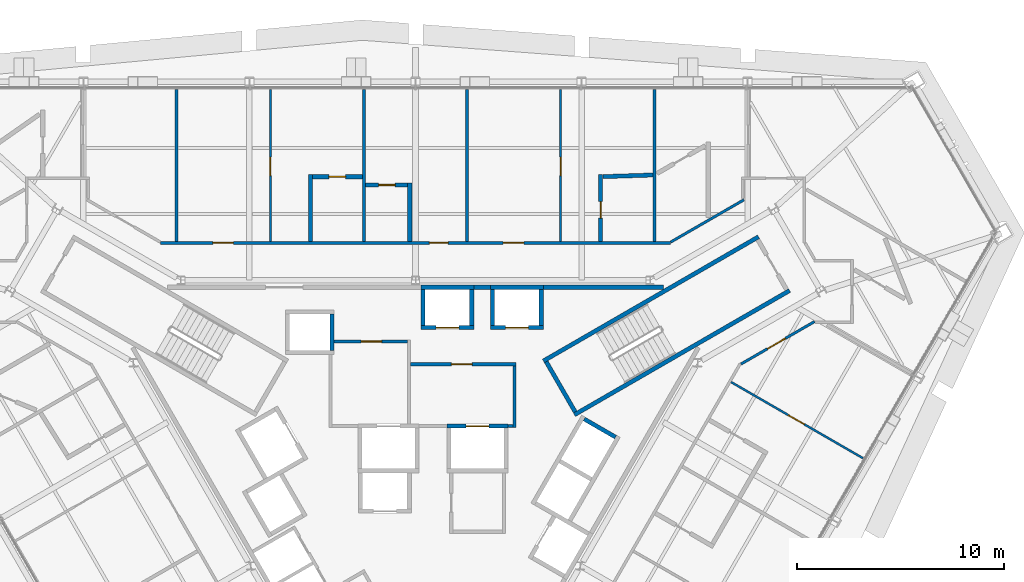
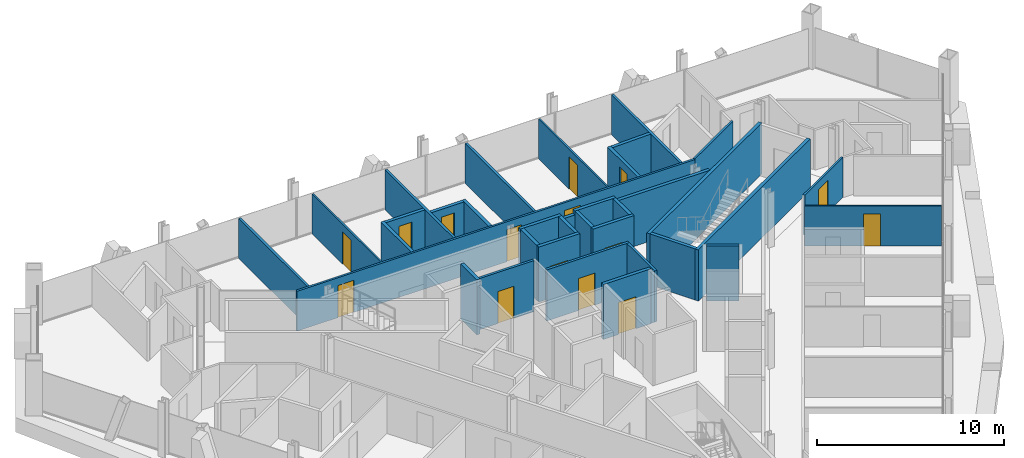
# One storey, part 13 of 16: 36 walls, 15 doors, 15 openings.
"""IFC4 building model written with IfcOpenShell, lengths in metres."""

from ifc_helpers import new_model, si_unit, direction, frame, frame_2d, origin, place, context, subcontext, project, spatial, rectangle, extrude, material, layer, layer_set, type_object, element, fill, save


model = new_model("IFC4")

# Units and contexts
model_context = context("Model", 3, precision=1e-05, world=origin(), true_north=direction((0.0, 1.0)))
body_context = subcontext(model_context, "Body", "Model", "MODEL_VIEW")
ifc_project = project(units=[si_unit("LENGTHUNIT", "METRE"), si_unit("AREAUNIT", "SQUARE_METRE"), si_unit("VOLUMEUNIT", "CUBIC_METRE"), si_unit("PLANEANGLEUNIT", "RADIAN"), si_unit("MASSUNIT", "GRAM", prefix="KILO")], contexts=[model_context])

# Site, building, storey
site_placement = place(None, origin())
site = spatial("IfcSite", under=ifc_project, at=site_placement, CompositionType="ELEMENT")
building_placement = place(site_placement, origin())
building = spatial("IfcBuilding", under=site, at=building_placement, Name="Verrane Prism Tower", CompositionType="ELEMENT")
storey_placement = place(building_placement, frame((0.0, 0.0, 107.199951171875)))
storey = spatial("IfcBuildingStorey", under=building, at=storey_placement, Name="L25", CompositionType="ELEMENT", Elevation=107.199951171875)

# Walls
ifc_material_1 = material(Name="Gypsum board partition", Category="other")
ifc_layer_1 = layer(ifc_material_1, 0.199951171875)
ifc_layer_set_1 = layer_set([ifc_layer_1], Name="CW-200 core boundary wall 2 h")
wall_type_1 = type_object("IfcWallType", Name="CW-200 core boundary wall 2 h", PredefinedType="PARTITIONING", material=ifc_layer_set_1)
wall_1_placement = place(storey_placement, frame((2.81689453125, 8.860107421875, 0.0), z_axis=(0.0, 0.0, 1.0), x_axis=(1.0, 0.0, 0.0)))
element("IfcWall", 1, at=wall_1_placement, inside=storey, type_object=wall_type_1, Name="Core boundary wall CW3-004", PredefinedType="PARTITIONING", context=body_context, shape_type="SweptSolid", body=[
    extrude(rectangle(XDim=0.80615234375, YDim=0.199951171875, at=frame_2d((0.403076171875, 0.0))), origin(), (0.0, 0.0, 1.0), 3.35009765625),
])
wall_2_placement = place(storey_placement, frame((6.177001953125, 8.860107421875, 0.0), z_axis=(0.0, 0.0, 1.0), x_axis=(1.0, 0.0, 0.0)))
element("IfcWall", 2, at=wall_2_placement, inside=storey, type_object=wall_type_1, Name="Core boundary wall CW3-006", PredefinedType="PARTITIONING", context=body_context, shape_type="SweptSolid", body=[
    extrude(rectangle(XDim=5.81396484375, YDim=0.199951171875, at=frame_2d((2.906982421875, 0.0))), origin(), (0.0, 0.0, 1.0), 3.35009765625),
])
ifc_material_2 = material(Name="Concrete C40/50", Category="concrete")
ifc_layer_2 = layer(ifc_material_2, 0.199951171875)
ifc_layer_set_2 = layer_set([ifc_layer_2], Name="CW-200 stair core wall concrete C40/50 3 h")
wall_type_2 = type_object("IfcWallType", Name="CW-200 stair core wall concrete C40/50 3 h", PredefinedType="PARTITIONING", material=ifc_layer_set_2)
for number, where, z_axis, x_axis, name in (
    (3, (6.17822265625, 5.299072265625, 0.0), (0.0, 0.0, 1.0), (0.866026010844, 0.49999894854, 0.0), "Stair 1 enclosure wall"),
    (4, (7.67822265625, 2.700927734375, 0.0), (0.0, 0.0, 1.0), (0.866026010844, 0.49999894854, 0.0), "Stair 1 enclosure wall"),
):
    element("IfcWall", number, at=place(storey_placement, frame(where, z_axis=z_axis, x_axis=x_axis)), inside=storey, type_object=wall_type_2, Name=name, PredefinedType="PARTITIONING", context=body_context, shape_type="SweptSolid", body=[
        extrude(rectangle(XDim=12.0, YDim=0.199951171875, at=frame_2d((6.0, 0.0))), origin(), (0.0, 0.0, 1.0), 3.35009765625),
    ])
wall_3_placement = place(storey_placement, frame((7.71484375, 2.837646484375, 0.0), z_axis=(0.0, 0.0, 1.0), x_axis=(-0.500049511043, 0.865996816683, 0.0)))
element("IfcWall", 5, at=wall_3_placement, inside=storey, type_object=wall_type_2, Name="Stair 1 enclosure wall", PredefinedType="PARTITIONING", context=body_context, shape_type="SweptSolid", body=[
    extrude(rectangle(XDim=2.800048828125, YDim=0.199951171875, at=frame_2d((1.39990234375, 0.0))), origin(), (0.0, 0.0, 1.0), 3.35009765625),
])

# Wall, opening, door
ifc_material_3 = material(Name="Gypsum board shaft wall assembly", Category="other")
ifc_layer_3 = layer(ifc_material_3, 0.199951171875)
ifc_layer_set_3 = layer_set([ifc_layer_3], Name="HW-200 lift shaft wall 2 h")
wall_type_3 = type_object("IfcWallType", Name="HW-200 lift shaft wall 2 h", PredefinedType="PARTITIONING", material=ifc_layer_set_3)
wall_4_placement = place(storey_placement, frame((1.52490234375, 2.14990234375, 0.0), z_axis=(0.0, 0.0, 1.0), x_axis=(1.0, 0.0, 0.0)))
wall_4 = element("IfcWall", 6, at=wall_4_placement, inside=storey, type_object=wall_type_3, Name="Lift shaft wall", PredefinedType="PARTITIONING", context=body_context, shape_type="SweptSolid", body=[
    extrude(rectangle(XDim=2.9501953125, YDim=0.199951171875, at=frame_2d((1.47509765625, 0.0))), origin(), (0.0, 0.0, 1.0), 3.60009765625),
])
opening_1_placement = place(wall_4_placement, frame((0.925048828125, 0.0, 0.0)))
opening_1 = element("IfcOpeningElement", 7, at=opening_1_placement, cuts=wall_4, Name="Opening D24509", PredefinedType="OPENING", context=body_context, shape_type="SweptSolid", body=[
    extrude(rectangle(XDim=1.10009765625, YDim=2.10009765625, at=frame_2d((0.550048828125, 1.050048828125))), frame((0.0, 0.10986328125, 0.0), z_axis=(0.0, -1.0, 0.0), x_axis=(1.0, 0.0, 0.0)), (0.0, 0.0, 1.0), 0.219970703125),
])
ifc_material_4 = material(Name="Stainless steel sliding landing door", Category="steel")
door_type_1 = type_object("IfcDoorType", Name="LD-1100x2100 lift landing door FD90 sliding", OperationType="NOTDEFINED", PredefinedType="DOOR", material=ifc_material_4)
door_1_placement = place(opening_1_placement, origin())
door_1 = element("IfcDoor", 8, at=door_1_placement, inside=storey, type_object=door_type_1, Name="Fire service lift 2 landing door", OperationType="SLIDING_TO_RIGHT", OverallHeight=2.10009765625, OverallWidth=1.10009765625, PredefinedType="DOOR", context=body_context, shape_type="SweptSolid", body=[
    extrude(rectangle(XDim=1.10009765625, YDim=2.10009765625, at=frame_2d((0.550048828125, 1.050048828125))), frame((0.0, 0.02490234375, 0.0), z_axis=(0.0, -1.0, 0.0), x_axis=(1.0, 0.0, 0.0)), (0.0, 0.0, 1.0), 0.050048828125),
])
fill(opening_1, door_1)

wall_5_placement = place(storey_placement, frame((0.264892578125, 6.909912109375, 0.0), z_axis=(0.0, 0.0, 1.0), x_axis=(1.0, 0.0, 0.0)))
wall_5 = element("IfcWall", 9, at=wall_5_placement, inside=storey, type_object=wall_type_3, Name="Lift shaft wall", PredefinedType="PARTITIONING", context=body_context, shape_type="SweptSolid", body=[
    extrude(rectangle(XDim=2.550048828125, YDim=0.199951171875, at=frame_2d((1.27490234375, 0.0))), origin(), (0.0, 0.0, 1.0), 3.60009765625),
])
opening_2_placement = place(wall_5_placement, frame((0.72509765625, 0.0, 0.0)))
opening_2 = element("IfcOpeningElement", 10, at=opening_2_placement, cuts=wall_5, Name="Opening D24503", PredefinedType="OPENING", context=body_context, shape_type="SweptSolid", body=[
    extrude(rectangle(XDim=1.10009765625, YDim=2.10009765625, at=frame_2d((0.550048828125, 1.050048828125))), frame((0.0, 0.10986328125, 0.0), z_axis=(0.0, -1.0, 0.0), x_axis=(1.0, 0.0, 0.0)), (0.0, 0.0, 1.0), 0.219970703125),
])
door_2_placement = place(opening_2_placement, origin())
door_2 = element("IfcDoor", 11, at=door_2_placement, inside=storey, type_object=door_type_1, Name="Bank A lift 1 landing door", OperationType="SLIDING_TO_LEFT", OverallHeight=2.10009765625, OverallWidth=1.10009765625, PredefinedType="DOOR", context=body_context, shape_type="SweptSolid", body=[
    extrude(rectangle(XDim=1.10009765625, YDim=2.10009765625, at=frame_2d((0.550048828125, 1.050048828125))), frame((0.0, 0.02490234375, 0.0), z_axis=(0.0, -1.0, 0.0), x_axis=(1.0, 0.0, 0.0)), (0.0, 0.0, 1.0), 0.050048828125),
])
fill(opening_2, door_2)

wall_6_placement = place(storey_placement, frame((3.625, 6.909912109375, 0.0), z_axis=(0.0, 0.0, 1.0), x_axis=(1.0, 0.0, 0.0)))
wall_6 = element("IfcWall", 12, at=wall_6_placement, inside=storey, type_object=wall_type_3, Name="Lift shaft wall", PredefinedType="PARTITIONING", context=body_context, shape_type="SweptSolid", body=[
    extrude(rectangle(XDim=2.550048828125, YDim=0.199951171875, at=frame_2d((1.27490234375, 0.0))), origin(), (0.0, 0.0, 1.0), 3.60009765625),
])
opening_3_placement = place(wall_6_placement, frame((0.72509765625, 0.0, 0.0)))
opening_3 = element("IfcOpeningElement", 13, at=opening_3_placement, cuts=wall_6, Name="Opening D24505", PredefinedType="OPENING", context=body_context, shape_type="SweptSolid", body=[
    extrude(rectangle(XDim=1.10009765625, YDim=2.10009765625, at=frame_2d((0.550048828125, 1.050048828125))), frame((0.0, 0.10986328125, 0.0), z_axis=(0.0, -1.0, 0.0), x_axis=(1.0, 0.0, 0.0)), (0.0, 0.0, 1.0), 0.219970703125),
])
door_3_placement = place(opening_3_placement, origin())
door_3 = element("IfcDoor", 14, at=door_3_placement, inside=storey, type_object=door_type_1, Name="Bank A lift 3 landing door", OperationType="SLIDING_TO_LEFT", OverallHeight=2.10009765625, OverallWidth=1.10009765625, PredefinedType="DOOR", context=body_context, shape_type="SweptSolid", body=[
    extrude(rectangle(XDim=1.10009765625, YDim=2.10009765625, at=frame_2d((0.550048828125, 1.050048828125))), frame((0.0, 0.02490234375, 0.0), z_axis=(0.0, -1.0, 0.0), x_axis=(1.0, 0.0, 0.0)), (0.0, 0.0, 1.0), 0.050048828125),
])
fill(opening_3, door_3)

# Walls
for number, where, z_axis, x_axis, name in (
    (15, (0.264892578125, 8.860107421875, 0.0), (0.0, 0.0, 1.0), (1.0, 0.0, 0.0), "Lift shaft wall"),
    (16, (3.625, 8.860107421875, 0.0), (0.0, 0.0, 1.0), (1.0, 0.0, 0.0), "Lift shaft wall"),
):
    element("IfcWall", number, at=place(storey_placement, frame(where, z_axis=z_axis, x_axis=x_axis)), inside=storey, type_object=wall_type_3, Name=name, PredefinedType="PARTITIONING", context=body_context, shape_type="SweptSolid", body=[
        extrude(rectangle(XDim=2.550048828125, YDim=0.199951171875, at=frame_2d((1.27490234375, 0.0))), origin(), (0.0, 0.0, 1.0), 3.60009765625),
    ])
for number, where, z_axis, x_axis, name in (
    (17, (6.074951171875, 7.010009765625, 0.0), (0.0, 0.0, 1.0), (0.0, 1.0, 0.0), "Lift shaft wall"),
    (18, (3.72509765625, 7.010009765625, 0.0), (0.0, 0.0, 1.0), (0.0, 1.0, 0.0), "Lift shaft wall"),
    (19, (2.715087890625, 7.010009765625, 0.0), (0.0, 0.0, 1.0), (0.0, 1.0, 0.0), "Lift shaft wall"),
    (20, (0.364990234375, 7.010009765625, 0.0), (0.0, 0.0, 1.0), (0.0, 1.0, 0.0), "Lift shaft wall"),
    (21, (-4.034912109375, 5.81005859375, 0.0), (0.0, 0.0, 1.0), (0.0, 1.0, 0.0), "Lift shaft wall"),
):
    element("IfcWall", number, at=place(storey_placement, frame(where, z_axis=z_axis, x_axis=x_axis)), inside=storey, type_object=wall_type_3, Name=name, PredefinedType="PARTITIONING", context=body_context, shape_type="SweptSolid", body=[
        extrude(rectangle(XDim=1.75, YDim=0.199951171875, at=frame_2d((0.875, 0.0))), origin(), (0.0, 0.0, 1.0), 3.60009765625),
    ])
wall_7_placement = place(storey_placement, frame((9.66455078125, 1.61962890625, 0.0), z_axis=(0.0, 0.0, 1.0), x_axis=(-0.866002029911, 0.500040482552, 0.0)))
element("IfcWall", 22, at=wall_7_placement, inside=storey, type_object=wall_type_3, Name="Lift shaft wall", PredefinedType="PARTITIONING", context=body_context, shape_type="SweptSolid", body=[
    extrude(rectangle(XDim=1.749755859375, YDim=0.199951171875, at=frame_2d((0.875, 0.0))), origin(), (0.0, 0.0, 1.0), 3.60009765625),
])

# Wall, opening, door
ifc_material_5 = material(Name="Gypsum board partition", Category="other")
ifc_layer_4 = layer(ifc_material_5, 0.14990234375)
ifc_layer_set_4 = layer_set([ifc_layer_4], Name="LF-150 firefighting lobby wall 1 h")
wall_type_4 = type_object("IfcWallType", Name="LF-150 firefighting lobby wall 1 h", PredefinedType="PARTITIONING", material=ifc_layer_set_4)
wall_8_placement = place(storey_placement, frame((-3.93310546875, 6.239990234375, 0.0), z_axis=(0.0, 0.0, 1.0), x_axis=(1.0, 0.0, 0.0)))
wall_8 = element("IfcWall", 23, at=wall_8_placement, inside=storey, type_object=wall_type_4, Name="Firefighting lobby wall LF1-003", PredefinedType="PARTITIONING", context=body_context, shape_type="SweptSolid", body=[
    extrude(rectangle(XDim=3.5380859375, YDim=0.14990234375, at=frame_2d((1.76904296875, 0.0))), origin(), (0.0, 0.0, 1.0), 3.35009765625),
])
opening_4_placement = place(wall_8_placement, frame((1.300048828125, 0.0, 0.0)))
opening_4 = element("IfcOpeningElement", 24, at=opening_4_placement, cuts=wall_8, Name="Opening D24515", PredefinedType="OPENING", context=body_context, shape_type="SweptSolid", body=[
    extrude(rectangle(XDim=1.0, YDim=2.10009765625, at=frame_2d((0.5, 1.050048828125))), frame((0.0, 0.0849609375, 0.0), z_axis=(0.0, -1.0, 0.0), x_axis=(1.0, 0.0, 0.0)), (0.0, 0.0, 1.0), 0.169921875),
])
ifc_material_6 = material(Name="Timber veneered door leaf", Category="wood")
door_type_2 = type_object("IfcDoorType", Name="DR-1000x2100 FD60 single leaf firefighting lobby", OperationType="NOTDEFINED", PredefinedType="DOOR", material=ifc_material_6)
door_4_placement = place(opening_4_placement, origin())
door_4 = element("IfcDoor", 25, at=door_4_placement, inside=storey, type_object=door_type_2, Name="Firefighting lobby door D24515", OperationType="SINGLE_SWING_LEFT", OverallHeight=2.10009765625, OverallWidth=1.0, PredefinedType="DOOR", context=body_context, shape_type="SweptSolid", body=[
    extrude(rectangle(XDim=1.0, YDim=2.10009765625, at=frame_2d((0.5, 1.050048828125))), frame((0.0, 0.02490234375, 0.0), z_axis=(0.0, -1.0, 0.0), x_axis=(1.0, 0.0, 0.0)), (0.0, 0.0, 1.0), 0.050048828125),
])
fill(opening_4, door_4)

wall_9_placement = place(storey_placement, frame((-0.2451171875, 5.139892578125, 0.0), z_axis=(0.0, 0.0, 1.0), x_axis=(1.0, 0.0, 0.0)))
wall_9 = element("IfcWall", 26, at=wall_9_placement, inside=storey, type_object=wall_type_4, Name="Firefighting lobby wall LF1-005", PredefinedType="PARTITIONING", context=body_context, shape_type="SweptSolid", body=[
    extrude(rectangle(XDim=5.110107421875, YDim=0.14990234375, at=frame_2d((2.55517578125, 0.0))), origin(), (0.0, 0.0, 1.0), 3.35009765625),
])
opening_5_placement = place(wall_9_placement, frame((1.97509765625, 0.0, 0.0)))
opening_5 = element("IfcOpeningElement", 27, at=opening_5_placement, cuts=wall_9, Name="Opening D24516", PredefinedType="OPENING", context=body_context, shape_type="SweptSolid", body=[
    extrude(rectangle(XDim=1.0, YDim=2.10009765625, at=frame_2d((0.5, 1.050048828125))), frame((0.0, 0.0849609375, 0.0), z_axis=(0.0, -1.0, 0.0), x_axis=(1.0, 0.0, 0.0)), (0.0, 0.0, 1.0), 0.169921875),
])
door_5_placement = place(opening_5_placement, origin())
door_5 = element("IfcDoor", 28, at=door_5_placement, inside=storey, type_object=door_type_2, Name="Firefighting lobby door D24516", OperationType="SINGLE_SWING_RIGHT", OverallHeight=2.10009765625, OverallWidth=1.0, PredefinedType="DOOR", context=body_context, shape_type="SweptSolid", body=[
    extrude(rectangle(XDim=1.0, YDim=2.10009765625, at=frame_2d((0.5, 1.050048828125))), frame((0.0, 0.02490234375, 0.0), z_axis=(0.0, -1.0, 0.0), x_axis=(1.0, 0.0, 0.0)), (0.0, 0.0, 1.0), 0.050048828125),
])
fill(opening_5, door_5)

# Walls
wall_10_placement = place(storey_placement, frame((4.47705078125, 2.159912109375, 0.0), z_axis=(0.0, 0.0, 1.0), x_axis=(1.0, 0.0, 0.0)))
element("IfcWall", 29, at=wall_10_placement, inside=storey, type_object=wall_type_4, Name="Firefighting lobby wall LF1-007", PredefinedType="PARTITIONING", context=body_context, shape_type="SweptSolid", body=[
    extrude(rectangle(XDim=0.238037109375, YDim=0.14990234375, at=frame_2d((0.119140625, 0.0))), origin(), (0.0, 0.0, 1.0), 3.35009765625),
])
wall_11_placement = place(storey_placement, frame((4.7900390625, 2.0849609375, 0.0), z_axis=(0.0, 0.0, 1.0), x_axis=(0.0, 1.0, 0.0)))
element("IfcWall", 30, at=wall_11_placement, inside=storey, type_object=wall_type_4, Name="Firefighting lobby wall LF1-008", PredefinedType="PARTITIONING", context=body_context, shape_type="SweptSolid", body=[
    extrude(rectangle(XDim=2.97998046875, YDim=0.14990234375, at=frame_2d((1.489990234375, 0.0))), origin(), (0.0, 0.0, 1.0), 3.35009765625),
])

# Wall, opening, door
ifc_material_7 = material(Name="Gypsum board partition", Category="other")
ifc_layer_5 = layer(ifc_material_7, 0.10009765625)
ifc_layer_set_5 = layer_set([ifc_layer_5], Name="PW-100 room partition")
wall_type_5 = type_object("IfcWallType", Name="PW-100 room partition", PredefinedType="PARTITIONING", material=ifc_layer_set_5)
wall_12_placement = place(storey_placement, frame((-7.011962890625, 18.4150390625, 0.0), z_axis=(0.0, 0.0, 1.0), x_axis=(0.0, -1.0, 0.0)))
wall_12 = element("IfcWall", 31, at=wall_12_placement, inside=storey, type_object=wall_type_5, Name="Room partition 034", PredefinedType="PARTITIONING", context=body_context, shape_type="SweptSolid", body=[
    extrude(rectangle(XDim=7.3525390625, YDim=0.10009765625, at=frame_2d((3.67626953125, 0.0))), origin(), (0.0, 0.0, 1.0), 2.613037109375),
])
opening_6_placement = place(wall_12_placement, frame((3.264892578125, 0.0, 0.0)))
opening_6 = element("IfcOpeningElement", 32, at=opening_6_placement, cuts=wall_12, Name="Opening D24023", PredefinedType="OPENING", context=body_context, shape_type="SweptSolid", body=[
    extrude(rectangle(XDim=0.89990234375, YDim=2.10009765625, at=frame_2d((0.449951171875, 1.050048828125))), frame((0.0, 0.06005859375, 0.0), z_axis=(0.0, -1.0, 0.0), x_axis=(1.0, 0.0, 0.0)), (0.0, 0.0, 1.0), 0.1201171875),
])
ifc_material_8 = material(Name="Timber veneered door leaf", Category="wood")
door_type_3 = type_object("IfcDoorType", Name="DR-900x2100 single leaf inner", OperationType="NOTDEFINED", PredefinedType="DOOR", material=ifc_material_8)
door_6_placement = place(opening_6_placement, origin())
door_6 = element("IfcDoor", 33, at=door_6_placement, inside=storey, type_object=door_type_3, Name="Suite Living Room door", OperationType="SINGLE_SWING_RIGHT", OverallHeight=2.10009765625, OverallWidth=0.89990234375, PredefinedType="DOOR", context=body_context, shape_type="SweptSolid", body=[
    extrude(rectangle(XDim=0.89990234375, YDim=2.10009765625, at=frame_2d((0.449951171875, 1.050048828125))), frame((0.0, 0.02490234375, 0.0), z_axis=(0.0, -1.0, 0.0), x_axis=(1.0, 0.0, 0.0)), (0.0, 0.0, 1.0), 0.050048828125),
])
fill(opening_6, door_6)

wall_13_placement = place(storey_placement, frame((7.011962890625, 18.4150390625, 0.0), z_axis=(0.0, 0.0, 1.0), x_axis=(0.0, -1.0, 0.0)))
wall_13 = element("IfcWall", 34, at=wall_13_placement, inside=storey, type_object=wall_type_5, Name="Room partition 055", PredefinedType="PARTITIONING", context=body_context, shape_type="SweptSolid", body=[
    extrude(rectangle(XDim=7.3525390625, YDim=0.10009765625, at=frame_2d((3.67626953125, 0.0))), origin(), (0.0, 0.0, 1.0), 2.613037109375),
])
opening_7_placement = place(wall_13_placement, frame((3.264892578125, 0.0, 0.0)))
opening_7 = element("IfcOpeningElement", 35, at=opening_7_placement, cuts=wall_13, Name="Opening D24018", PredefinedType="OPENING", context=body_context, shape_type="SweptSolid", body=[
    extrude(rectangle(XDim=0.89990234375, YDim=2.10009765625, at=frame_2d((0.449951171875, 1.050048828125))), frame((0.0, 0.06005859375, 0.0), z_axis=(0.0, -1.0, 0.0), x_axis=(1.0, 0.0, 0.0)), (0.0, 0.0, 1.0), 0.1201171875),
])
door_7_placement = place(opening_7_placement, origin())
door_7 = element("IfcDoor", 36, at=door_7_placement, inside=storey, type_object=door_type_3, Name="Suite Living Room door", OperationType="SINGLE_SWING_LEFT", OverallHeight=2.10009765625, OverallWidth=0.89990234375, PredefinedType="DOOR", context=body_context, shape_type="SweptSolid", body=[
    extrude(rectangle(XDim=0.89990234375, YDim=2.10009765625, at=frame_2d((0.449951171875, 1.050048828125))), frame((0.0, 0.02490234375, 0.0), z_axis=(0.0, -1.0, 0.0), x_axis=(1.0, 0.0, 0.0)), (0.0, 0.0, 1.0), 0.050048828125),
])
fill(opening_7, door_7)

wall_14_placement = place(storey_placement, frame((21.613037109375, 0.604736328125, 0.0), z_axis=(0.0, 0.0, 1.0), x_axis=(-0.866021344046, 0.500007031608, 0.0)))
wall_14 = element("IfcWall", 37, at=wall_14_placement, inside=storey, type_object=wall_type_5, Name="Room partition 068", PredefinedType="PARTITIONING", context=body_context, shape_type="SweptSolid", body=[
    extrude(rectangle(XDim=7.35205078125, YDim=0.10009765625, at=frame_2d((3.676025390625, 0.0))), origin(), (0.0, 0.0, 1.0), 2.613037109375),
])
opening_8_placement = place(wall_14_placement, frame((3.264404296875, 0.0, 0.0)))
opening_8 = element("IfcOpeningElement", 38, at=opening_8_placement, cuts=wall_14, Name="Opening D24010", PredefinedType="OPENING", context=body_context, shape_type="SweptSolid", body=[
    extrude(rectangle(XDim=0.89990234375, YDim=2.10009765625, at=frame_2d((0.449951171875, 1.050048828125))), frame((0.0, 0.06005859375, 0.0), z_axis=(0.0, -1.0, 0.0), x_axis=(1.0, 0.0, 0.0)), (0.0, 0.0, 1.0), 0.1201171875),
])
door_8_placement = place(opening_8_placement, origin())
door_8 = element("IfcDoor", 39, at=door_8_placement, inside=storey, type_object=door_type_3, Name="Suite Living Room door", OperationType="SINGLE_SWING_LEFT", OverallHeight=2.10009765625, OverallWidth=0.89990234375, PredefinedType="DOOR", context=body_context, shape_type="SweptSolid", body=[
    extrude(rectangle(XDim=0.89990234375, YDim=2.10009765625, at=frame_2d((0.449951171875, 1.050048828125))), frame((0.0, 0.02490234375, 0.0), z_axis=(0.0, -1.0, 0.0), x_axis=(1.0, 0.0, 0.0)), (0.0, 0.0, 1.0), 0.050048828125),
])
fill(opening_8, door_8)

# Wall, openings, doors
ifc_material_9 = material(Name="Gypsum board partition", Category="other")
ifc_layer_6 = layer(ifc_material_9, 0.125)
ifc_layer_set_6 = layer_set([ifc_layer_6], Name="PW-125 corridor wall 1 h")
wall_type_6 = type_object("IfcWallType", Name="PW-125 corridor wall 1 h", PredefinedType="PARTITIONING", material=ifc_layer_set_6)
wall_15_placement = place(storey_placement, frame((-12.3154296875, 11.0, 0.0), z_axis=(0.0, 0.0, 1.0), x_axis=(1.0, 0.0, 0.0)))
wall_15 = element("IfcWall", 40, at=wall_15_placement, inside=storey, type_object=wall_type_6, Name="Corridor wall 025", PredefinedType="PARTITIONING", context=body_context, shape_type="SweptSolid", body=[
    extrude(rectangle(XDim=24.630859375, YDim=0.125, at=frame_2d((12.3154296875, 0.0))), origin(), (0.0, 0.0, 1.0), 2.613037109375),
])
opening_9_placement = place(wall_15_placement, frame((16.54541015625, 0.0, 0.0)))
opening_9 = element("IfcOpeningElement", 41, at=opening_9_placement, cuts=wall_15, Name="Opening D24017", PredefinedType="OPENING", context=body_context, shape_type="SweptSolid", body=[
    extrude(rectangle(XDim=1.0, YDim=2.10009765625, at=frame_2d((0.5, 1.050048828125))), frame((0.0, 0.072509765625, 0.0), z_axis=(0.0, -1.0, 0.0), x_axis=(1.0, 0.0, 0.0)), (0.0, 0.0, 1.0), 0.14501953125),
])
opening_10_placement = place(wall_15_placement, frame((12.985595703125, 0.0, 0.0)))
opening_10 = element("IfcOpeningElement", 42, at=opening_10_placement, cuts=wall_15, Name="Opening D24020", PredefinedType="OPENING", context=body_context, shape_type="SweptSolid", body=[
    extrude(rectangle(XDim=0.89990234375, YDim=2.10009765625, at=frame_2d((0.449951171875, 1.050048828125))), frame((0.0, 0.072509765625, 0.0), z_axis=(0.0, -1.0, 0.0), x_axis=(1.0, 0.0, 0.0)), (0.0, 0.0, 1.0), 0.14501953125),
])
opening_11_placement = place(wall_15_placement, frame((2.521484375, 0.0, 0.0)))
opening_11 = element("IfcOpeningElement", 43, at=opening_11_placement, cuts=wall_15, Name="Opening D24022", PredefinedType="OPENING", context=body_context, shape_type="SweptSolid", body=[
    extrude(rectangle(XDim=1.0, YDim=2.10009765625, at=frame_2d((0.5, 1.050048828125))), frame((0.0, 0.072509765625, 0.0), z_axis=(0.0, -1.0, 0.0), x_axis=(1.0, 0.0, 0.0)), (0.0, 0.0, 1.0), 0.14501953125),
])
ifc_material_10 = material(Name="Timber veneered door leaf", Category="wood")
door_type_4 = type_object("IfcDoorType", Name="DR-1000x2100 FD20 single leaf unit", OperationType="NOTDEFINED", PredefinedType="DOOR", material=ifc_material_10)
door_9_placement = place(opening_9_placement, origin())
door_9 = element("IfcDoor", 44, at=door_9_placement, inside=storey, type_object=door_type_4, Name="Suite Living Room door", OperationType="SINGLE_SWING_LEFT", OverallHeight=2.10009765625, OverallWidth=1.0, PredefinedType="DOOR", context=body_context, shape_type="SweptSolid", body=[
    extrude(rectangle(XDim=1.0, YDim=2.10009765625, at=frame_2d((0.5, 1.050048828125))), frame((0.0, 0.02490234375, 0.0), z_axis=(0.0, -1.0, 0.0), x_axis=(1.0, 0.0, 0.0)), (0.0, 0.0, 1.0), 0.050048828125),
])
fill(opening_9, door_9)
door_10_placement = place(opening_11_placement, origin())
door_10 = element("IfcDoor", 45, at=door_10_placement, inside=storey, type_object=door_type_4, Name="Suite Living Room door", OperationType="SINGLE_SWING_RIGHT", OverallHeight=2.10009765625, OverallWidth=1.0, PredefinedType="DOOR", context=body_context, shape_type="SweptSolid", body=[
    extrude(rectangle(XDim=1.0, YDim=2.10009765625, at=frame_2d((0.5, 1.050048828125))), frame((0.0, 0.02490234375, 0.0), z_axis=(0.0, -1.0, 0.0), x_axis=(1.0, 0.0, 0.0)), (0.0, 0.0, 1.0), 0.050048828125),
])
fill(opening_11, door_10)
ifc_material_11 = material(Name="Timber veneered door leaf", Category="wood")
door_type_5 = type_object("IfcDoorType", Name="DR-900x2100 FD20 single leaf unit", OperationType="NOTDEFINED", PredefinedType="DOOR", material=ifc_material_11)
door_11_placement = place(opening_10_placement, origin())
door_11 = element("IfcDoor", 46, at=door_11_placement, inside=storey, type_object=door_type_5, Name="Guest Room door", OperationType="SINGLE_SWING_RIGHT", OverallHeight=2.10009765625, OverallWidth=0.89990234375, PredefinedType="DOOR", context=body_context, shape_type="SweptSolid", body=[
    extrude(rectangle(XDim=0.89990234375, YDim=2.10009765625, at=frame_2d((0.449951171875, 1.050048828125))), frame((0.0, 0.02490234375, 0.0), z_axis=(0.0, -1.0, 0.0), x_axis=(1.0, 0.0, 0.0)), (0.0, 0.0, 1.0), 0.050048828125),
])
fill(opening_10, door_11)

# Wall
wall_16_placement = place(storey_placement, frame((12.32666015625, 11.04248046875, 0.0), z_axis=(0.0, 0.0, 1.0), x_axis=(0.866070231021, 0.499922348909, 0.0)))
element("IfcWall", 47, at=wall_16_placement, inside=storey, type_object=wall_type_6, Name="Corridor wall 063", PredefinedType="PARTITIONING", context=body_context, shape_type="SweptSolid", body=[
    extrude(rectangle(XDim=4.088134765625, YDim=0.125, at=frame_2d((2.0439453125, 0.0))), origin(), (0.0, 0.0, 1.0), 2.613037109375),
])

# Wall, opening, door
wall_17_placement = place(storey_placement, frame((19.278076171875, 7.204345703125, 0.0), z_axis=(0.0, 0.0, 1.0), x_axis=(-0.865992261418, -0.50005739987, 0.0)))
wall_17 = element("IfcWall", 48, at=wall_17_placement, inside=storey, type_object=wall_type_6, Name="Corridor wall 070", PredefinedType="PARTITIONING", context=body_context, shape_type="SweptSolid", body=[
    extrude(rectangle(XDim=4.10107421875, YDim=0.125, at=frame_2d((2.050537109375, 0.0))), origin(), (0.0, 0.0, 1.0), 2.613037109375),
])
opening_12_placement = place(wall_17_placement, frame((1.635986328125, 0.0, 0.0)))
opening_12 = element("IfcOpeningElement", 49, at=opening_12_placement, cuts=wall_17, Name="Opening D24009", PredefinedType="OPENING", context=body_context, shape_type="SweptSolid", body=[
    extrude(rectangle(XDim=1.0, YDim=2.10009765625, at=frame_2d((0.5, 1.050048828125))), frame((0.0, 0.072509765625, 0.0), z_axis=(0.0, -1.0, 0.0), x_axis=(1.0, 0.0, 0.0)), (0.0, 0.0, 1.0), 0.14501953125),
])
door_12_placement = place(opening_12_placement, origin())
door_12 = element("IfcDoor", 50, at=door_12_placement, inside=storey, type_object=door_type_4, Name="Suite Living Room door", OperationType="SINGLE_SWING_RIGHT", OverallHeight=2.10009765625, OverallWidth=1.0, PredefinedType="DOOR", context=body_context, shape_type="SweptSolid", body=[
    extrude(rectangle(XDim=1.0, YDim=2.10009765625, at=frame_2d((0.5, 1.050048828125))), frame((0.0, 0.02490234375, 0.0), z_axis=(0.0, -1.0, 0.0), x_axis=(1.0, 0.0, 0.0)), (0.0, 0.0, 1.0), 0.050048828125),
])
fill(opening_12, door_12)

# Walls
ifc_material_12 = material(Name="Gypsum board partition", Category="other")
ifc_layer_7 = layer(ifc_material_12, 0.14990234375)
ifc_layer_set_7 = layer_set([ifc_layer_7], Name="PW-150 demising wall 1 h")
wall_type_7 = type_object("IfcWallType", Name="PW-150 demising wall 1 h", PredefinedType="PARTITIONING", material=ifc_layer_set_7)
for number, where, z_axis, x_axis, name in (
    (51, (-11.5439453125, 11.0625, 0.0), (0.0, 0.0, 1.0), (0.0, 1.0, 0.0), "Demising wall 027"),
    (52, (-2.47998046875, 11.0625, 0.0), (0.0, 0.0, 1.0), (0.0, 1.0, 0.0), "Demising wall 039"),
    (53, (2.47998046875, 11.0625, 0.0), (0.0, 0.0, 1.0), (0.0, 1.0, 0.0), "Demising wall 044"),
    (54, (11.5439453125, 11.0625, 0.0), (0.0, 0.0, 1.0), (0.0, 1.0, 0.0), "Demising wall 061"),
):
    element("IfcWall", number, at=place(storey_placement, frame(where, z_axis=z_axis, x_axis=x_axis)), inside=storey, type_object=wall_type_7, Name=name, PredefinedType="PARTITIONING", context=body_context, shape_type="SweptSolid", body=[
        extrude(rectangle(XDim=7.3525390625, YDim=0.14990234375, at=frame_2d((3.67626953125, 0.0))), origin(), (0.0, 0.0, 1.0), 2.613037109375),
    ])
ifc_material_13 = material(Name="Gypsum board partition", Category="other")
ifc_layer_8 = layer(ifc_material_13, 0.199951171875)
ifc_layer_set_8 = layer_set([ifc_layer_8], Name="PW-200 plumbing wall")
wall_type_8 = type_object("IfcWallType", Name="PW-200 plumbing wall", PredefinedType="PARTITIONING", material=ifc_layer_set_8)
wall_18_placement = place(storey_placement, frame((-5.080078125, 11.0625, 0.0), z_axis=(0.0, 0.0, 1.0), x_axis=(0.0, 1.0, 0.0)))
element("IfcWall", 55, at=wall_18_placement, inside=storey, type_object=wall_type_8, Name="Plumbing wall 035", PredefinedType="PARTITIONING", context=body_context, shape_type="SweptSolid", body=[
    extrude(rectangle(XDim=3.237548828125, YDim=0.199951171875, at=frame_2d((1.61865234375, 0.0))), origin(), (0.0, 0.0, 1.0), 2.613037109375),
])

# Wall, opening, door
wall_19_placement = place(storey_placement, frame((-2.554931640625, 14.199951171875, 0.0), z_axis=(0.0, 0.0, 1.0), x_axis=(-1.0, 0.0, 0.0)))
wall_19 = element("IfcWall", 56, at=wall_19_placement, inside=storey, type_object=wall_type_8, Name="Plumbing wall 036", PredefinedType="PARTITIONING", context=body_context, shape_type="SweptSolid", body=[
    extrude(rectangle(XDim=2.425048828125, YDim=0.199951171875, at=frame_2d((1.21240234375, 0.0))), origin(), (0.0, 0.0, 1.0), 2.613037109375),
])
opening_13_placement = place(wall_19_placement, frame((0.824951171875, 0.0, 0.0)))
opening_13 = element("IfcOpeningElement", 57, at=opening_13_placement, cuts=wall_19, Name="Opening D24024", PredefinedType="OPENING", context=body_context, shape_type="SweptSolid", body=[
    extrude(rectangle(XDim=0.800048828125, YDim=2.10009765625, at=frame_2d((0.39990234375, 1.050048828125))), frame((0.0, 0.10986328125, 0.0), z_axis=(0.0, -1.0, 0.0), x_axis=(1.0, 0.0, 0.0)), (0.0, 0.0, 1.0), 0.219970703125),
])
ifc_material_14 = material(Name="Timber veneered door leaf", Category="wood")
door_type_6 = type_object("IfcDoorType", Name="DR-800x2100 single leaf bath", OperationType="NOTDEFINED", PredefinedType="DOOR", material=ifc_material_14)
door_13_placement = place(opening_13_placement, origin())
door_13 = element("IfcDoor", 58, at=door_13_placement, inside=storey, type_object=door_type_6, Name="En-Suite door", OperationType="SINGLE_SWING_LEFT", OverallHeight=2.10009765625, OverallWidth=0.800048828125, PredefinedType="DOOR", context=body_context, shape_type="SweptSolid", body=[
    extrude(rectangle(XDim=0.800048828125, YDim=2.10009765625, at=frame_2d((0.39990234375, 1.050048828125))), frame((0.0, 0.02490234375, 0.0), z_axis=(0.0, -1.0, 0.0), x_axis=(1.0, 0.0, 0.0)), (0.0, 0.0, 1.0), 0.050048828125),
])
fill(opening_13, door_13)

wall_20_placement = place(storey_placement, frame((-0.3798828125, 13.800048828125, 0.0), z_axis=(0.0, 0.0, 1.0), x_axis=(-1.0, 0.0, 0.0)))
wall_20 = element("IfcWall", 59, at=wall_20_placement, inside=storey, type_object=wall_type_8, Name="Plumbing wall 040", PredefinedType="PARTITIONING", context=body_context, shape_type="SweptSolid", body=[
    extrude(rectangle(XDim=2.025146484375, YDim=0.199951171875, at=frame_2d((1.0126953125, 0.0))), origin(), (0.0, 0.0, 1.0), 2.613037109375),
])
opening_14_placement = place(wall_20_placement, frame((0.60009765625, 0.0, 0.0)))
opening_14 = element("IfcOpeningElement", 60, at=opening_14_placement, cuts=wall_20, Name="Opening D24021", PredefinedType="OPENING", context=body_context, shape_type="SweptSolid", body=[
    extrude(rectangle(XDim=0.800048828125, YDim=2.10009765625, at=frame_2d((0.39990234375, 1.050048828125))), frame((0.0, 0.10986328125, 0.0), z_axis=(0.0, -1.0, 0.0), x_axis=(1.0, 0.0, 0.0)), (0.0, 0.0, 1.0), 0.219970703125),
])
door_14_placement = place(opening_14_placement, origin())
door_14 = element("IfcDoor", 61, at=door_14_placement, inside=storey, type_object=door_type_6, Name="En-Suite door", OperationType="SINGLE_SWING_RIGHT", OverallHeight=2.10009765625, OverallWidth=0.800048828125, PredefinedType="DOOR", context=body_context, shape_type="SweptSolid", body=[
    extrude(rectangle(XDim=0.800048828125, YDim=2.10009765625, at=frame_2d((0.39990234375, 1.050048828125))), frame((0.0, 0.02490234375, 0.0), z_axis=(0.0, -1.0, 0.0), x_axis=(1.0, 0.0, 0.0)), (0.0, 0.0, 1.0), 0.050048828125),
])
fill(opening_14, door_14)

# Wall
wall_21_placement = place(storey_placement, frame((-0.280029296875, 11.0625, 0.0), z_axis=(0.0, 0.0, 1.0), x_axis=(0.0, 1.0, 0.0)))
element("IfcWall", 62, at=wall_21_placement, inside=storey, type_object=wall_type_8, Name="Plumbing wall 041", PredefinedType="PARTITIONING", context=body_context, shape_type="SweptSolid", body=[
    extrude(rectangle(XDim=2.83740234375, YDim=0.199951171875, at=frame_2d((1.418701171875, 0.0))), origin(), (0.0, 0.0, 1.0), 2.613037109375),
])

# Wall, opening, door
wall_22_placement = place(storey_placement, frame((8.944091796875, 14.300048828125, 0.0), z_axis=(0.0, 0.0, 1.0), x_axis=(0.0, -1.0, 0.0)))
wall_22 = element("IfcWall", 63, at=wall_22_placement, inside=storey, type_object=wall_type_8, Name="Plumbing wall 057", PredefinedType="PARTITIONING", context=body_context, shape_type="SweptSolid", body=[
    extrude(rectangle(XDim=3.237548828125, YDim=0.199951171875, at=frame_2d((1.61865234375, 0.0))), origin(), (0.0, 0.0, 1.0), 2.613037109375),
])
opening_15_placement = place(wall_22_placement, frame((1.300048828125, 0.0, 0.0)))
opening_15 = element("IfcOpeningElement", 64, at=opening_15_placement, cuts=wall_22, Name="Opening D24019", PredefinedType="OPENING", context=body_context, shape_type="SweptSolid", body=[
    extrude(rectangle(XDim=0.800048828125, YDim=2.10009765625, at=frame_2d((0.39990234375, 1.050048828125))), frame((0.0, 0.10986328125, 0.0), z_axis=(0.0, -1.0, 0.0), x_axis=(1.0, 0.0, 0.0)), (0.0, 0.0, 1.0), 0.219970703125),
])
door_15_placement = place(opening_15_placement, origin())
door_15 = element("IfcDoor", 65, at=door_15_placement, inside=storey, type_object=door_type_6, Name="En-Suite door", OperationType="SINGLE_SWING_RIGHT", OverallHeight=2.10009765625, OverallWidth=0.800048828125, PredefinedType="DOOR", context=body_context, shape_type="SweptSolid", body=[
    extrude(rectangle(XDim=0.800048828125, YDim=2.10009765625, at=frame_2d((0.39990234375, 1.050048828125))), frame((0.0, 0.02490234375, 0.0), z_axis=(0.0, -1.0, 0.0), x_axis=(1.0, 0.0, 0.0)), (0.0, 0.0, 1.0), 0.050048828125),
])
fill(opening_15, door_15)

# Wall
wall_23_placement = place(storey_placement, frame((9.048828125, 14.203369140625, 0.0), z_axis=(0.0, 0.0, 1.0), x_axis=(0.999451498762, 0.033116485665, 0.0)))
element("IfcWall", 66, at=wall_23_placement, inside=storey, type_object=wall_type_8, Name="Plumbing wall 058", PredefinedType="PARTITIONING", context=body_context, shape_type="SweptSolid", body=[
    extrude(rectangle(XDim=2.41796875, YDim=0.199951171875, at=frame_2d((1.208984375, 0.0))), origin(), (0.0, 0.0, 1.0), 2.613037109375),
])

save(model, "model.ifc")
